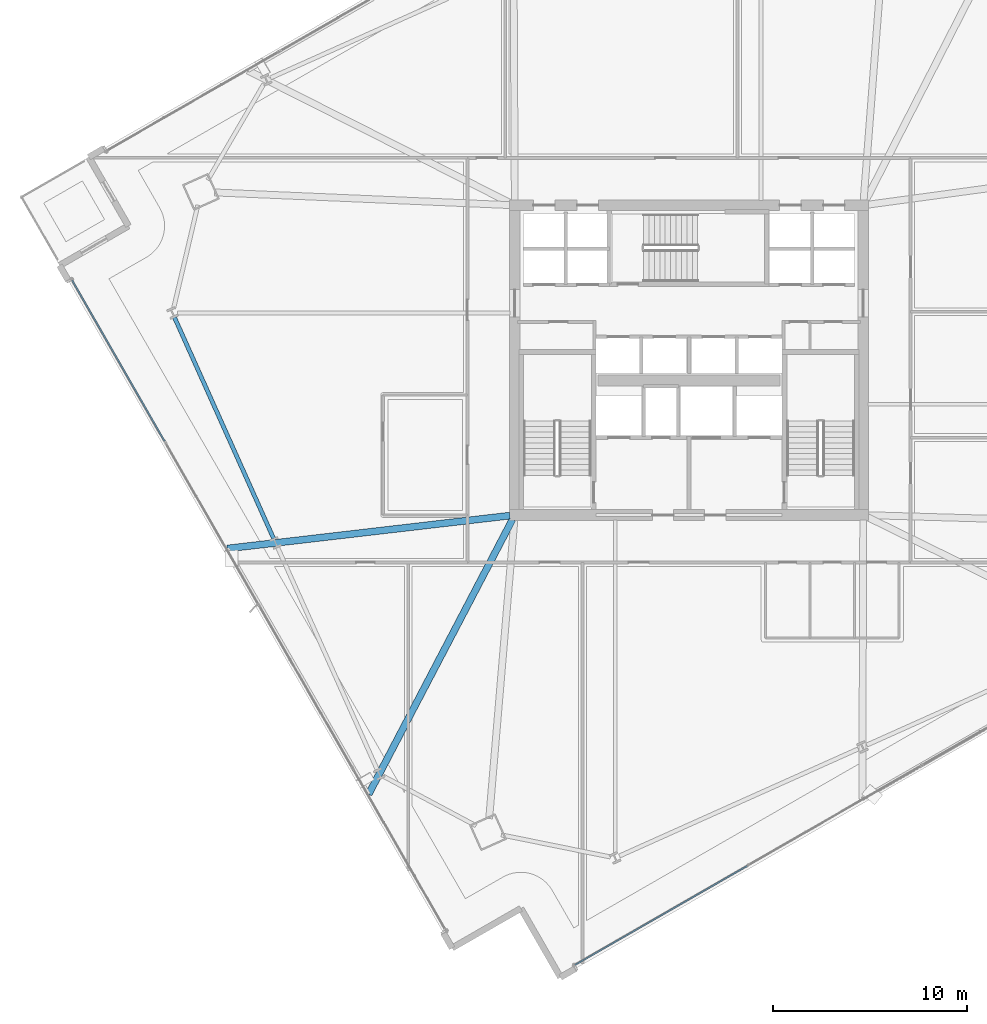
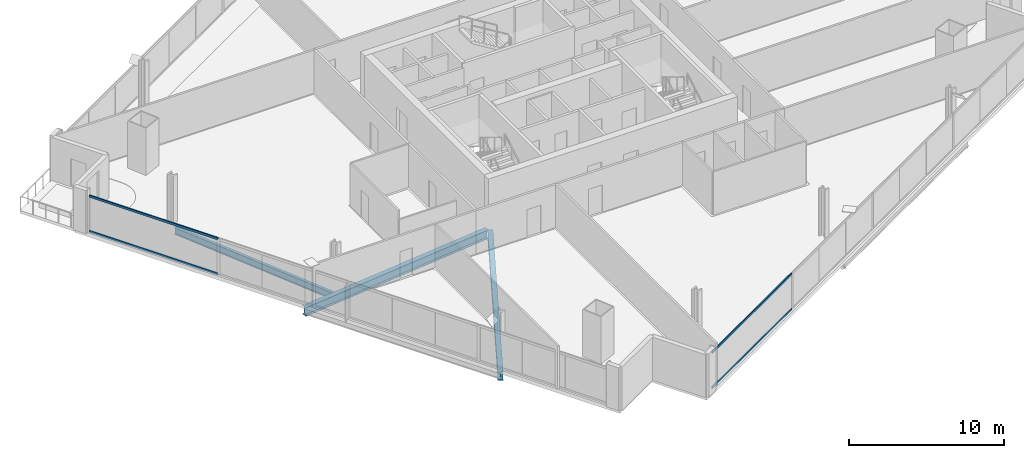
# One storey, part 5 of 33: 4 members, 3 beams, 2 elements without a shape of their own.
"""IFC4 building model written with IfcOpenShell, lengths in metres."""

from ifc_helpers import new_model, si_unit, direction, frame, origin, origin_2d, place, context, subcontext, project, spatial, hollow_rectangle, i_section, extrude, material, material_profile, profile_set, type_object, element, aggregate, save


model = new_model("IFC4")

# Units and contexts
model_context = context("Model", 3, precision=1e-05, world=origin(), true_north=direction((0.0, 1.0)))
body_context = subcontext(model_context, "Body", "Model", "MODEL_VIEW")
ifc_project = project(units=[si_unit("LENGTHUNIT", "METRE"), si_unit("AREAUNIT", "SQUARE_METRE"), si_unit("VOLUMEUNIT", "CUBIC_METRE"), si_unit("PLANEANGLEUNIT", "RADIAN"), si_unit("MASSUNIT", "GRAM", prefix="KILO")], contexts=[model_context])

# Site, building, storey
site_placement = place(None, origin())
site = spatial("IfcSite", under=ifc_project, at=site_placement, CompositionType="ELEMENT")
building_placement = place(site_placement, origin())
building = spatial("IfcBuilding", under=site, at=building_placement, Name="Haldenkirk Collegiate Tower", CompositionType="ELEMENT")
storey_placement = place(building_placement, frame((0.0, 0.0, 127.949951171875)))
storey = spatial("IfcBuildingStorey", under=building, at=storey_placement, Name="L31", CompositionType="ELEMENT", Elevation=127.949951171875)

# Beams
ifc_material_1 = material(Name="Steel ASTM A992 Grade 50", Category="steel")
ifc_material_profile_1 = material_profile(ifc_material_1, i_section(OverallWidth=0.35498046875, OverallDepth=0.696044921875, WebThickness=0.015380859375, FlangeThickness=0.02490234375, at=origin_2d()), Name="W27X146")
ifc_profile_set_1 = profile_set([ifc_material_profile_1], Name="Steel ASTM A992 Grade 50")
beam_type_1 = type_object("IfcBeamType", Name="BM-GIRDER-W27X146", PredefinedType="BEAM", material=ifc_profile_set_1)
beam_1_placement = place(storey_placement, frame((12.14501953125, 16.27001953125, -0.64794921875), z_axis=(0.993287203457, 0.115674247125, 0.0), x_axis=(-0.115674247125, 0.993287203457, 0.0)))
element("IfcBeam", 1, at=beam_1_placement, inside=storey, type_object=beam_type_1, Name="L31 primary floor girder 15", PredefinedType="BEAM", context=body_context, shape_type="SweptSolid", body=[
    extrude(i_section(OverallWidth=0.35498046875, OverallDepth=0.696044921875, WebThickness=0.015380859375, FlangeThickness=0.02490234375, at=origin_2d()), origin(), (0.0, 0.0, 1.0), 14.7001953125),
])
beam_2_placement = place(storey_placement, frame((19.44677734375, 3.572265625, -0.64794921875), z_axis=(0.463797556391, 0.885941209497, 0.0), x_axis=(-0.885941209497, 0.463797556391, 0.0)))
element("IfcBeam", 2, at=beam_2_placement, inside=storey, type_object=beam_type_1, Name="L31 primary floor girder 16", PredefinedType="BEAM", context=body_context, shape_type="SweptSolid", body=[
    extrude(i_section(OverallWidth=0.35498046875, OverallDepth=0.696044921875, WebThickness=0.015380859375, FlangeThickness=0.02490234375, at=origin_2d()), origin(), (0.0, 0.0, 1.0), 16.0302734375),
])
ifc_material_profile_2 = material_profile(ifc_material_1, i_section(OverallWidth=0.2119140625, OverallDepth=0.5439453125, WebThickness=0.01318359375, FlangeThickness=0.021240234375, at=origin_2d()), Name="W21X83")
ifc_profile_set_2 = profile_set([ifc_material_profile_2], Name="Steel ASTM A992 Grade 50")
beam_type_2 = type_object("IfcBeamType", Name="BM-SPANDREL-W21X83", PredefinedType="SPANDREL", material=ifc_profile_set_2)
beam_3_placement = place(storey_placement, frame((9.418212890625, 28.212890625, -0.572021484375), z_axis=(0.409115233697, -0.912482726169, 0.0), x_axis=(0.912482726169, 0.409115233697, 0.0)))
element("IfcBeam", 3, at=beam_3_placement, inside=storey, type_object=beam_type_2, Name="L31 perimeter spandrel beam 14", PredefinedType="SPANDREL", context=body_context, shape_type="SweptSolid", body=[
    extrude(i_section(OverallWidth=0.2119140625, OverallDepth=0.5439453125, WebThickness=0.01318359375, FlangeThickness=0.021240234375, at=origin_2d()), origin(), (0.0, 0.0, 1.0), 12.524169921875),
])

# Curtain wall, members
ifc_material_2 = material(Name="Anodised architectural bronze aluminium", Category="aluminium")
curtain_wall_type_1 = type_object("IfcCurtainWallType", Name="CW-SYS2-CONCAVE", PredefinedType="USERDEFINED", material=ifc_material_2)
curtain_wall_1_placement = place(storey_placement, origin())
curtain_wall_1 = element("IfcCurtainWall", 4, at=curtain_wall_1_placement, inside=storey, type_object=curtain_wall_type_1, Name="L31 South concave recessed bronze-anodised curtain wall", ObjectType="UNITISED CURTAIN WALL", PredefinedType="USERDEFINED")
ifc_material_profile_3 = material_profile(ifc_material_2, hollow_rectangle(XDim=0.074951171875, YDim=0.159912109375, WallThickness=0.0048828125, at=origin_2d()), Name="CW-TRN-02")
ifc_profile_set_3 = profile_set([ifc_material_profile_3], Name="Anodised architectural bronze aluminium")
member_type_1 = type_object("IfcMemberType", Name="CW-TRN-02", PredefinedType="USERDEFINED", material=ifc_profile_set_3)
member_1_placement = place(storey_placement, frame((39.009521484375, -0.121826171875, 0.03759765625), z_axis=(-0.866896022691, -0.49848900273, 0.0), x_axis=(0.49848900273, -0.866896022691, 0.0)))
member_1 = element("IfcMember", 5, at=member_1_placement, type_object=member_type_1, Name="CW-02 transom 4.1", ObjectType="TRANSOM", PredefinedType="USERDEFINED", context=body_context, shape_type="SweptSolid", body=[
    extrude(hollow_rectangle(XDim=0.074951171875, YDim=0.159912109375, WallThickness=0.0048828125, at=origin_2d()), origin(), (0.0, 0.0, 1.0), 10.262451171875),
])
member_2_placement = place(storey_placement, frame((39.009521484375, -0.121826171875, 2.8134765625), z_axis=(-0.866896022691, -0.49848900273, 0.0), x_axis=(0.49848900273, -0.866896022691, 0.0)))
member_2 = element("IfcMember", 6, at=member_2_placement, type_object=member_type_1, Name="CW-02 transom 4.2", ObjectType="TRANSOM", PredefinedType="USERDEFINED", context=body_context, shape_type="SweptSolid", body=[
    extrude(hollow_rectangle(XDim=0.074951171875, YDim=0.159912109375, WallThickness=0.0048828125, at=origin_2d()), origin(), (0.0, 0.0, 1.0), 10.262451171875),
])
aggregate(curtain_wall_1, [member_1, member_2])

curtain_wall_type_2 = type_object("IfcCurtainWallType", Name="CW-SYS1-CONVEX-LOW", PredefinedType="USERDEFINED", material=ifc_material_2)
curtain_wall_2_placement = place(storey_placement, origin())
curtain_wall_2 = element("IfcCurtainWall", 7, at=curtain_wall_2_placement, inside=storey, type_object=curtain_wall_type_2, Name="L31 Lower tower convex bronze-framed unitised curtain wall", ObjectType="UNITISED CURTAIN WALL", PredefinedType="USERDEFINED")
ifc_material_profile_4 = material_profile(ifc_material_2, hollow_rectangle(XDim=0.080078125, YDim=0.179931640625, WallThickness=0.0048828125, at=origin_2d()), Name="CW-TRN-1A")
ifc_profile_set_4 = profile_set([ifc_material_profile_4], Name="Anodised architectural bronze aluminium")
member_type_2 = type_object("IfcMemberType", Name="CW-TRN-1A", PredefinedType="USERDEFINED", material=ifc_profile_set_4)
member_3_placement = place(storey_placement, frame((8.91259765625, 21.81103515625, 0.0400390625), z_axis=(-0.498495495537, 0.866892289116, 0.0), x_axis=(-0.866892289116, -0.498495495537, 0.0)))
member_3 = element("IfcMember", 8, at=member_3_placement, type_object=member_type_2, Name="CW-1A transom 4.1", ObjectType="TRANSOM", PredefinedType="USERDEFINED", context=body_context, shape_type="SweptSolid", body=[
    extrude(hollow_rectangle(XDim=0.080078125, YDim=0.179931640625, WallThickness=0.0048828125, at=origin_2d()), origin(), (0.0, 0.0, 1.0), 9.5986328125),
])
member_4_placement = place(storey_placement, frame((8.91259765625, 21.81103515625, 2.81103515625), z_axis=(-0.498495495537, 0.866892289116, 0.0), x_axis=(-0.866892289116, -0.498495495537, 0.0)))
member_4 = element("IfcMember", 9, at=member_4_placement, type_object=member_type_2, Name="CW-1A transom 4.2", ObjectType="TRANSOM", PredefinedType="USERDEFINED", context=body_context, shape_type="SweptSolid", body=[
    extrude(hollow_rectangle(XDim=0.080078125, YDim=0.179931640625, WallThickness=0.0048828125, at=origin_2d()), origin(), (0.0, 0.0, 1.0), 9.5986328125),
])
aggregate(curtain_wall_2, [member_3, member_4])

save(model, "model.ifc")
